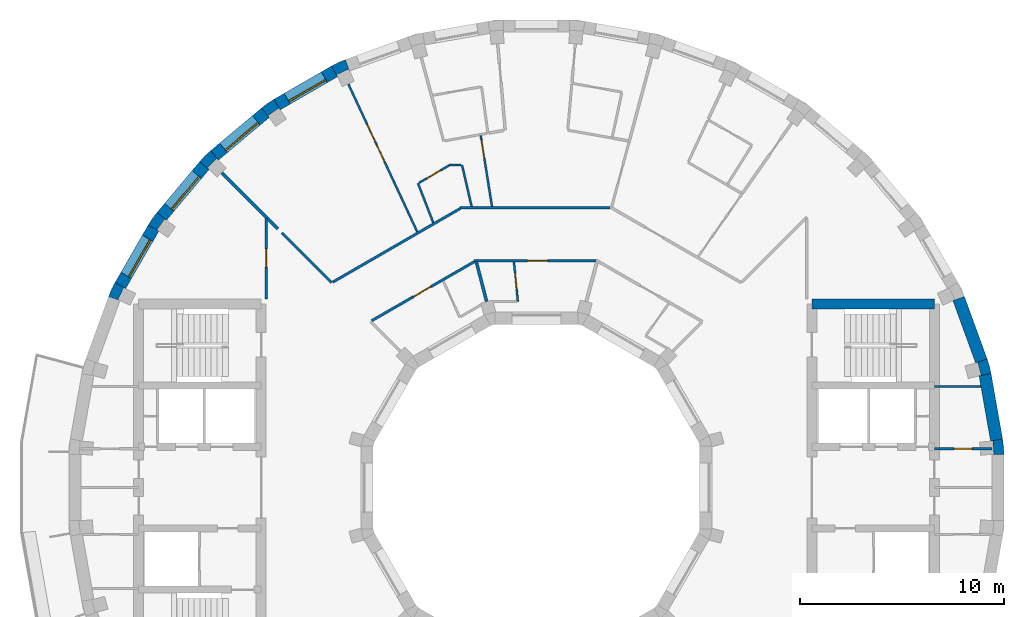
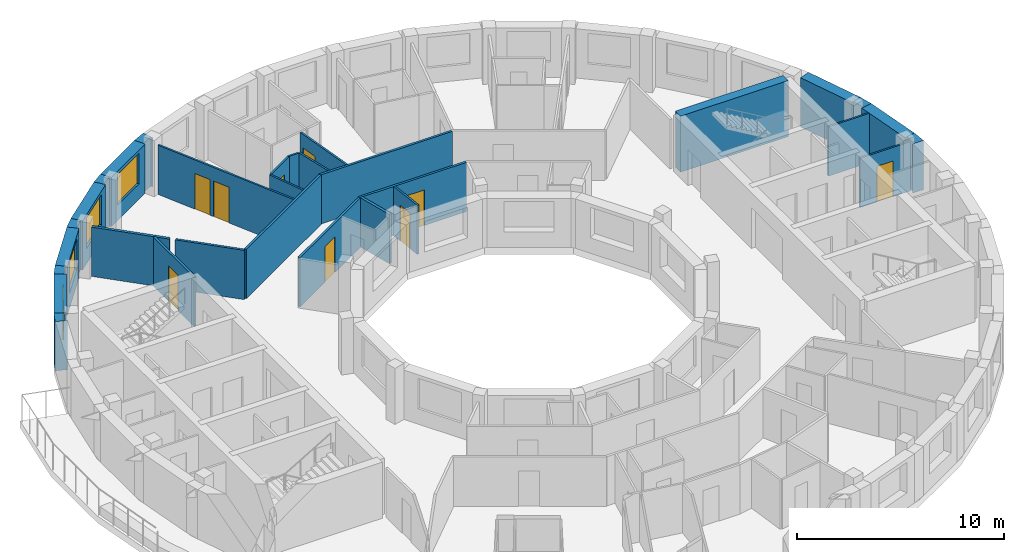
# One storey, part 7 of 10: 31 walls, 9 doors, 4 windows, 13 openings.
"""IFC4 building model written with IfcOpenShell, lengths in metres."""

from ifc_helpers import new_model, si_unit, direction, frame, frame_2d, origin, place, context, subcontext, project, spatial, polyline, rectangle, outline, extrude, material, layer, layer_set, type_object, element, fill, save


model = new_model("IFC4")

# Units and contexts
model_context = context("Model", 3, precision=1e-05, world=origin(), true_north=direction((0.0, 1.0)))
body_context = subcontext(model_context, "Body", "Model", "MODEL_VIEW")
ifc_project = project(units=[si_unit("LENGTHUNIT", "METRE"), si_unit("AREAUNIT", "SQUARE_METRE"), si_unit("VOLUMEUNIT", "CUBIC_METRE"), si_unit("PLANEANGLEUNIT", "RADIAN"), si_unit("MASSUNIT", "GRAM", prefix="KILO")], contexts=[model_context])

# Site, building, storey
site_placement = place(None, origin())
site = spatial("IfcSite", under=ifc_project, at=site_placement, CompositionType="ELEMENT")
building_placement = place(site_placement, origin())
building = spatial("IfcBuilding", under=site, at=building_placement, Name="Saqina Gate Tower", CompositionType="ELEMENT")
storey_placement = place(building_placement, frame((0.0, 0.0, 252.800048828125)))
storey = spatial("IfcBuildingStorey", under=building, at=storey_placement, Name="L72", CompositionType="ELEMENT", Elevation=252.800048828125)

# Walls
ifc_material_1 = material(Name="Brick masonry (buff)", Category="masonry")
wall_type_1 = type_object("IfcWallType", Name="BRICK PIER COPING BUFF", PredefinedType="SOLIDWALL", material=ifc_material_1)
wall_1_placement = place(storey_placement, origin())
element("IfcWall", 1, at=wall_1_placement, inside=storey, type_object=wall_type_1, Name="Pier cap L72 column 1", PredefinedType="SOLIDWALL", context=body_context, shape_type="SweptSolid", body=[
    extrude(outline(polyline([(22.91259765625, 1.625732421875), (22.8466796875, 2.377685546875), (22.255859375, 2.2734375), (22.361083984375, 2.28271484375), (22.417724609375, 1.635009765625), (22.3125, 1.625732421875), (22.91259765625, 1.625732421875)])), origin(), (0.0, 0.0, 1.0), 2.89990234375),
])
wall_2_placement = place(storey_placement, origin())
element("IfcWall", 2, at=wall_2_placement, inside=storey, type_object=wall_type_1, Name="Pier cap L72 column 2", PredefinedType="SOLIDWALL", context=body_context, shape_type="SweptSolid", body=[
    extrude(outline(polyline([(22.0869140625, 6.30859375), (21.52294921875, 6.103515625), (21.625, 6.130859375), (21.793212890625, 5.5029296875), (21.691162109375, 5.4755859375), (22.281982421875, 5.579833984375), (22.0869140625, 6.30859375)])), origin(), (0.0, 0.0, 1.0), 2.89990234375),
])
wall_3_placement = place(storey_placement, origin())
element("IfcWall", 3, at=wall_3_placement, inside=storey, type_object=wall_type_1, Name="Pier cap L72 column 12", PredefinedType="SOLIDWALL", context=body_context, shape_type="SweptSolid", body=[
    extrude(outline(polyline([(-9.3642578125, 20.974609375), (-10.048095703125, 20.65576171875), (-9.748291015625, 20.135986328125), (-9.79296875, 20.23193359375), (-9.203857421875, 20.506591796875), (-9.1591796875, 20.410888671875), (-9.3642578125, 20.974609375)])), origin(), (0.0, 0.0, 1.0), 2.89990234375),
])
wall_4_placement = place(storey_placement, origin())
element("IfcWall", 4, at=wall_4_placement, inside=storey, type_object=wall_type_1, Name="Pier cap L72 column 13", PredefinedType="SOLIDWALL", context=body_context, shape_type="SweptSolid", body=[
    extrude(outline(polyline([(-12.8642578125, 19.02978515625), (-13.482421875, 18.59716796875), (-13.0966796875, 18.137451171875), (-13.157470703125, 18.22412109375), (-12.625, 18.596923828125), (-12.564208984375, 18.51025390625), (-12.8642578125, 19.02978515625)])), origin(), (0.0, 0.0, 1.0), 2.89990234375),
])
wall_5_placement = place(storey_placement, origin())
element("IfcWall", 5, at=wall_5_placement, inside=storey, type_object=wall_type_1, Name="Pier cap L72 column 14", PredefinedType="SOLIDWALL", context=body_context, shape_type="SweptSolid", body=[
    extrude(outline(polyline([(-16.5068359375, 15.973388671875), (-16.04736328125, 15.587646484375), (-16.1220703125, 15.662353515625), (-15.662353515625, 16.1220703125), (-15.587646484375, 16.04736328125), (-15.973388671875, 16.5068359375), (-16.5068359375, 15.973388671875)])), origin(), (0.0, 0.0, 1.0), 2.89990234375),
])
wall_6_placement = place(storey_placement, origin())
element("IfcWall", 6, at=wall_6_placement, inside=storey, type_object=wall_type_1, Name="Pier cap L72 column 15", PredefinedType="SOLIDWALL", context=body_context, shape_type="SweptSolid", body=[
    extrude(outline(polyline([(-19.02978515625, 12.8642578125), (-18.51025390625, 12.564208984375), (-18.596923828125, 12.625), (-18.22412109375, 13.157470703125), (-18.137451171875, 13.0966796875), (-18.59716796875, 13.482421875), (-19.02978515625, 12.8642578125)])), origin(), (0.0, 0.0, 1.0), 2.89990234375),
])
wall_7_placement = place(storey_placement, origin())
element("IfcWall", 7, at=wall_7_placement, inside=storey, type_object=wall_type_1, Name="Pier cap L72 column 16", PredefinedType="SOLIDWALL", context=body_context, shape_type="SweptSolid", body=[
    extrude(outline(polyline([(-20.65576171875, 10.048095703125), (-20.974609375, 9.3642578125), (-20.410888671875, 9.1591796875), (-20.506591796875, 9.203857421875), (-20.23193359375, 9.79296875), (-20.135986328125, 9.748291015625), (-20.65576171875, 10.048095703125)])), origin(), (0.0, 0.0, 1.0), 2.89990234375),
])
ifc_material_2 = material(Name="Gypsum board on steel studs", Category="steel")
ifc_layer_1 = layer(ifc_material_2, 0.10009765625)
ifc_layer_set_1 = layer_set([ifc_layer_1], Name="CORE PARTITION")
wall_type_2 = type_object("IfcWallType", Name="CORE PARTITION", PredefinedType="PARTITIONING", material=ifc_layer_set_1)
wall_8_placement = place(storey_placement, frame((19.5, 4.949951171875, 0.0), z_axis=(0.0, 0.0, 1.0), x_axis=(1.0, 0.0, 0.0)))
element("IfcWall", 8, at=wall_8_placement, inside=storey, type_object=wall_type_2, Name="L72-CP-E02", PredefinedType="PARTITIONING", context=body_context, shape_type="SweptSolid", body=[
    extrude(rectangle(XDim=2.283935546875, YDim=0.10009765625, at=frame_2d((1.14208984375, 0.0))), origin(), (0.0, 0.0, 1.0), 2.89990234375),
])

# Wall, opening, door
wall_9_placement = place(storey_placement, frame((19.5, 1.89990234375, 0.0), z_axis=(0.0, 0.0, 1.0), x_axis=(1.0, 0.0, 0.0)))
wall_9 = element("IfcWall", 9, at=wall_9_placement, inside=storey, type_object=wall_type_2, Name="L72-CP-E03", PredefinedType="PARTITIONING", context=body_context, shape_type="SweptSolid", body=[
    extrude(rectangle(XDim=2.8125, YDim=0.10009765625, at=frame_2d((1.40625, 0.0))), origin(), (0.0, 0.0, 1.0), 2.89990234375),
])
opening_1_placement = place(wall_9_placement, frame((0.956298828125, 0.0, 0.0)))
opening_1 = element("IfcOpeningElement", 10, at=opening_1_placement, cuts=wall_9, Name="Opening G21-D92", PredefinedType="OPENING", context=body_context, shape_type="SweptSolid", body=[
    extrude(rectangle(XDim=0.89990234375, YDim=2.10009765625, at=frame_2d((0.449951171875, 1.050048828125))), frame((0.0, 0.06201171875, 0.0), z_axis=(0.0, -1.0, 0.0), x_axis=(1.0, 0.0, 0.0)), (0.0, 0.0, 1.0), 0.1240234375),
])
ifc_material_3 = material(Name="Steel-framed fire door leaf, EI 60", Category="steel")
door_type_1 = type_object("IfcDoorType", Name="SERVICE ROOM DOOR 900", OperationType="SINGLE_SWING_LEFT", PredefinedType="DOOR", material=ifc_material_3)
door_1_placement = place(opening_1_placement, origin())
door_1 = element("IfcDoor", 11, at=door_1_placement, inside=storey, type_object=door_type_1, Name="L72-CD-E03", OperationType="SINGLE_SWING_RIGHT", OverallHeight=2.10009765625, OverallWidth=0.89990234375, PredefinedType="DOOR", context=body_context, shape_type="SweptSolid", body=[
    extrude(rectangle(XDim=0.89990234375, YDim=2.10009765625, at=frame_2d((0.449951171875, 1.050048828125))), frame((0.0, 0.02490234375, 0.0), z_axis=(0.0, -1.0, 0.0), x_axis=(1.0, 0.0, 0.0)), (0.0, 0.0, 1.0), 0.050048828125),
])
fill(opening_1, door_1)

# Wall, opening, window
ifc_material_4 = material(Name="Brick masonry (buff)", Category="masonry")
ifc_layer_2 = layer(ifc_material_4, 0.60009765625)
ifc_layer_set_2 = layer_set([ifc_layer_2], Name="FW-BRICK-BUFF")
wall_type_3 = type_object("IfcWallType", Name="FW-BRICK-BUFF", PredefinedType="SOLIDWALL", material=ifc_layer_set_2)
wall_10_placement = place(storey_placement, frame((-9.898193359375, 20.39599609375, 0.0), z_axis=(0.0, 0.0, 1.0), x_axis=(-0.866016800201, -0.500014901547, 0.0)))
wall_10 = element("IfcWall", 12, at=wall_10_placement, inside=storey, type_object=wall_type_3, Name="Facade wall L72 facet 12", PredefinedType="SOLIDWALL", context=body_context, shape_type="SweptSolid", body=[
    extrude(rectangle(XDim=3.251953125, YDim=0.60009765625, at=frame_2d((1.6259765625, 0.0))), origin(), (0.0, 0.0, 1.0), 2.89990234375),
])
opening_2_placement = place(wall_10_placement, frame((0.57568359375, 0.0, 0.89990234375)))
opening_2 = element("IfcOpeningElement", 13, at=opening_2_placement, cuts=wall_10, Name="Opening G21-W10", PredefinedType="OPENING", context=body_context, shape_type="SweptSolid", body=[
    extrude(rectangle(XDim=2.10009765625, YDim=1.800048828125, at=frame_2d((1.050048828125, 0.89990234375))), frame((0.0, 0.31201171875, 0.0), z_axis=(0.0, -1.0, 0.0), x_axis=(1.0, 0.0, 0.0)), (0.0, 0.0, 1.0), 0.6240234375),
])
ifc_material_5 = material(Name="Aluminium glazing", Category="aluminium")
window_type = type_object("IfcWindowType", Name="WN-D", PartitioningType="SINGLE_PANEL", PredefinedType="WINDOW", material=ifc_material_5)
window_1_placement = place(opening_2_placement, origin())
window_1 = element("IfcWindow", 14, at=window_1_placement, inside=storey, type_object=window_type, Name="Window L72 facet 12", OverallHeight=1.800048828125, OverallWidth=2.10009765625, PartitioningType="SINGLE_PANEL", PredefinedType="WINDOW", context=body_context, shape_type="SweptSolid", body=[
    extrude(rectangle(XDim=2.10009765625, YDim=1.800048828125, at=frame_2d((1.050048828125, 0.89990234375))), frame((0.0, 0.179931640625, 0.0), z_axis=(0.0, -1.0, 0.0), x_axis=(1.0, 0.0, 0.0)), (0.0, 0.0, 1.0), 0.06005859375),
])
fill(opening_2, window_1)

wall_11_placement = place(storey_placement, frame((-13.28955078125, 18.3671875, 0.0), z_axis=(0.0, 0.0, 1.0), x_axis=(-0.766056773982, -0.64277291405, 0.0)))
wall_11 = element("IfcWall", 15, at=wall_11_placement, inside=storey, type_object=wall_type_3, Name="Facade wall L72 facet 13", PredefinedType="SOLIDWALL", context=body_context, shape_type="SweptSolid", body=[
    extrude(rectangle(XDim=3.251708984375, YDim=0.60009765625, at=frame_2d((1.6259765625, 0.0))), origin(), (0.0, 0.0, 1.0), 2.89990234375),
])
opening_3_placement = place(wall_11_placement, frame((0.57568359375, 0.0, 0.89990234375)))
opening_3 = element("IfcOpeningElement", 16, at=opening_3_placement, cuts=wall_11, Name="Opening G21-W11", PredefinedType="OPENING", context=body_context, shape_type="SweptSolid", body=[
    extrude(rectangle(XDim=2.10009765625, YDim=1.800048828125, at=frame_2d((1.050048828125, 0.89990234375))), frame((0.0, 0.31201171875, 0.0), z_axis=(0.0, -1.0, 0.0), x_axis=(1.0, 0.0, 0.0)), (0.0, 0.0, 1.0), 0.6240234375),
])
window_2_placement = place(opening_3_placement, origin())
window_2 = element("IfcWindow", 17, at=window_2_placement, inside=storey, type_object=window_type, Name="Window L72 facet 13", OverallHeight=1.800048828125, OverallWidth=2.10009765625, PartitioningType="SINGLE_PANEL", PredefinedType="WINDOW", context=body_context, shape_type="SweptSolid", body=[
    extrude(rectangle(XDim=2.10009765625, YDim=1.800048828125, at=frame_2d((1.050048828125, 0.89990234375))), frame((0.0, 0.179931640625, 0.0), z_axis=(0.0, -1.0, 0.0), x_axis=(1.0, 0.0, 0.0)), (0.0, 0.0, 1.0), 0.06005859375),
])
fill(opening_3, window_2)

wall_12_placement = place(storey_placement, frame((-16.277099609375, 15.780517578125, 0.0), z_axis=(0.0, 0.0, 1.0), x_axis=(-0.64277291405, -0.766056773982, 0.0)))
wall_12 = element("IfcWall", 18, at=wall_12_placement, inside=storey, type_object=wall_type_3, Name="Facade wall L72 facet 14", PredefinedType="SOLIDWALL", context=body_context, shape_type="SweptSolid", body=[
    extrude(rectangle(XDim=3.251708984375, YDim=0.60009765625, at=frame_2d((1.6259765625, 0.0))), origin(), (0.0, 0.0, 1.0), 2.89990234375),
])
opening_4_placement = place(wall_12_placement, frame((0.57568359375, 0.0, 0.89990234375)))
opening_4 = element("IfcOpeningElement", 19, at=opening_4_placement, cuts=wall_12, Name="Opening G21-W12", PredefinedType="OPENING", context=body_context, shape_type="SweptSolid", body=[
    extrude(rectangle(XDim=2.10009765625, YDim=1.800048828125, at=frame_2d((1.050048828125, 0.89990234375))), frame((0.0, 0.31201171875, 0.0), z_axis=(0.0, -1.0, 0.0), x_axis=(1.0, 0.0, 0.0)), (0.0, 0.0, 1.0), 0.6240234375),
])
window_3_placement = place(opening_4_placement, origin())
window_3 = element("IfcWindow", 20, at=window_3_placement, inside=storey, type_object=window_type, Name="Window L72 facet 14", OverallHeight=1.800048828125, OverallWidth=2.10009765625, PartitioningType="SINGLE_PANEL", PredefinedType="WINDOW", context=body_context, shape_type="SweptSolid", body=[
    extrude(rectangle(XDim=2.10009765625, YDim=1.800048828125, at=frame_2d((1.050048828125, 0.89990234375))), frame((0.0, 0.179931640625, 0.0), z_axis=(0.0, -1.0, 0.0), x_axis=(1.0, 0.0, 0.0)), (0.0, 0.0, 1.0), 0.06005859375),
])
fill(opening_4, window_3)

wall_13_placement = place(storey_placement, frame((-18.77001953125, 12.71435546875, 0.0), z_axis=(0.0, 0.0, 1.0), x_axis=(-0.500014901547, -0.866016800201, 0.0)))
wall_13 = element("IfcWall", 21, at=wall_13_placement, inside=storey, type_object=wall_type_3, Name="Facade wall L72 facet 15", PredefinedType="SOLIDWALL", context=body_context, shape_type="SweptSolid", body=[
    extrude(rectangle(XDim=3.251953125, YDim=0.60009765625, at=frame_2d((1.6259765625, 0.0))), origin(), (0.0, 0.0, 1.0), 2.89990234375),
])
opening_5_placement = place(wall_13_placement, frame((0.57568359375, 0.0, 0.89990234375)))
opening_5 = element("IfcOpeningElement", 22, at=opening_5_placement, cuts=wall_13, Name="Opening G21-W13", PredefinedType="OPENING", context=body_context, shape_type="SweptSolid", body=[
    extrude(rectangle(XDim=2.10009765625, YDim=1.800048828125, at=frame_2d((1.050048828125, 0.89990234375))), frame((0.0, 0.31201171875, 0.0), z_axis=(0.0, -1.0, 0.0), x_axis=(1.0, 0.0, 0.0)), (0.0, 0.0, 1.0), 0.6240234375),
])
window_4_placement = place(opening_5_placement, origin())
window_4 = element("IfcWindow", 23, at=window_4_placement, inside=storey, type_object=window_type, Name="Window L72 facet 15", OverallHeight=1.800048828125, OverallWidth=2.10009765625, PartitioningType="SINGLE_PANEL", PredefinedType="WINDOW", context=body_context, shape_type="SweptSolid", body=[
    extrude(rectangle(XDim=2.10009765625, YDim=1.800048828125, at=frame_2d((1.050048828125, 0.89990234375))), frame((0.0, 0.179931640625, 0.0), z_axis=(0.0, -1.0, 0.0), x_axis=(1.0, 0.0, 0.0)), (0.0, 0.0, 1.0), 0.06005859375),
])
fill(opening_5, window_4)

# Walls
ifc_material_6 = material(Name="Glazed ceramic tile", Category="ceramic")
ifc_layer_3 = layer(ifc_material_6, 0.60009765625)
ifc_layer_set_3 = layer_set([ifc_layer_3], Name="FW-TILE")
wall_type_4 = type_object("IfcWallType", Name="FW-TILE", PredefinedType="SOLIDWALL", material=ifc_layer_set_3)
wall_14_placement = place(storey_placement, frame((22.55126953125, 2.325439453125, 0.0), z_axis=(0.0, 0.0, 1.0), x_axis=(-0.173656842178, 0.984806225186, 0.0)))
element("IfcWall", 24, at=wall_14_placement, inside=storey, type_object=wall_type_4, Name="Facade wall L72 facet 1", PredefinedType="SOLIDWALL", context=body_context, shape_type="SweptSolid", body=[
    extrude(rectangle(XDim=3.251708984375, YDim=0.60009765625, at=frame_2d((1.6259765625, 0.0))), origin(), (0.0, 0.0, 1.0), 2.89990234375),
])
ifc_material_7 = material(Name="Glazed ceramic tile (dark blue)", Category="ceramic")
ifc_layer_4 = layer(ifc_material_7, 0.60009765625)
ifc_layer_set_4 = layer_set([ifc_layer_4], Name="FW-TILE-CB")
wall_type_5 = type_object("IfcWallType", Name="FW-TILE-CB", PredefinedType="SOLIDWALL", material=ifc_layer_set_4)
wall_15_placement = place(storey_placement, frame((21.804931640625, 6.2060546875, 0.0), z_axis=(0.0, 0.0, 1.0), x_axis=(-0.342056509473, 0.939679383794, 0.0)))
element("IfcWall", 25, at=wall_15_placement, inside=storey, type_object=wall_type_5, Name="Facade wall L72 facet 2", PredefinedType="SOLIDWALL", context=body_context, shape_type="SweptSolid", body=[
    extrude(rectangle(XDim=3.251708984375, YDim=0.60009765625, at=frame_2d((1.6259765625, 0.0))), origin(), (0.0, 0.0, 1.0), 2.89990234375),
])

# Wall, opening, door
ifc_material_8 = material(Name="Gypsum board on steel studs, 100 mm", Category="steel")
ifc_layer_5 = layer(ifc_material_8, 0.10009765625)
ifc_layer_set_5 = layer_set([ifc_layer_5], Name="PARTITION 100")
wall_type_6 = type_object("IfcWallType", Name="PARTITION 100", PredefinedType="PARTITIONING", material=ifc_layer_set_5)
wall_16_placement = place(storey_placement, frame((-1.105712890625, 11.0478515625, 0.0), z_axis=(0.0, 0.0, 1.0), x_axis=(0.099416829924, -0.995045875288, 0.0)))
wall_16 = element("IfcWall", 26, at=wall_16_placement, inside=storey, type_object=wall_type_6, Name="PARTITION PW3-01", PredefinedType="PARTITIONING", context=body_context, shape_type="SweptSolid", body=[
    extrude(rectangle(XDim=1.947509765625, YDim=0.10009765625, at=frame_2d((0.9736328125, 0.0))), origin(), (0.0, 0.0, 1.0), 2.89990234375),
])
opening_6_placement = place(wall_16_placement, frame((0.54248046875, 0.0, 0.0)))
opening_6 = element("IfcOpeningElement", 27, at=opening_6_placement, cuts=wall_16, Name="Opening G21-D14", PredefinedType="OPENING", context=body_context, shape_type="SweptSolid", body=[
    extrude(rectangle(XDim=0.800048828125, YDim=2.10009765625, at=frame_2d((0.39990234375, 1.050048828125))), frame((0.0, 0.06201171875, 0.0), z_axis=(0.0, -1.0, 0.0), x_axis=(1.0, 0.0, 0.0)), (0.0, 0.0, 1.0), 0.1240234375),
])
ifc_material_9 = material(Name="Timber door leaf, 800 mm", Category="wood")
door_type_2 = type_object("IfcDoorType", Name="DOOR 800 TIMBER", OperationType="SINGLE_SWING_LEFT", PredefinedType="DOOR", material=ifc_material_9)
door_2_placement = place(opening_6_placement, frame((0.800048828125, 0.0, 0.0), z_axis=(0.0, 0.0, 1.0), x_axis=(-1.0, 0.0, 0.0)))
door_2 = element("IfcDoor", 28, at=door_2_placement, inside=storey, type_object=door_type_2, Name="DOOR G21-D14", OperationType="SINGLE_SWING_LEFT", OverallHeight=2.10009765625, OverallWidth=0.800048828125, PredefinedType="DOOR", context=body_context, shape_type="SweptSolid", body=[
    extrude(rectangle(XDim=0.800048828125, YDim=2.10009765625, at=frame_2d((0.39990234375, 1.050048828125))), frame((0.0, 0.02490234375, 0.0), z_axis=(0.0, -1.0, 0.0), x_axis=(1.0, 0.0, 0.0)), (0.0, 0.0, 1.0), 0.050048828125),
])
fill(opening_6, door_2)

wall_17_placement = place(storey_placement, frame((-2.732177734375, 17.24951171875, 0.0), z_axis=(0.0, 0.0, 1.0), x_axis=(0.156624768699, -0.987658180663, 0.0)))
wall_17 = element("IfcWall", 29, at=wall_17_placement, inside=storey, type_object=wall_type_6, Name="PARTITION PW3-04", PredefinedType="PARTITIONING", context=body_context, shape_type="SweptSolid", body=[
    extrude(rectangle(XDim=3.521240234375, YDim=0.10009765625, at=frame_2d((1.7607421875, 0.0))), origin(), (0.0, 0.0, 1.0), 2.89990234375),
])
opening_7_placement = place(wall_17_placement, frame((0.216796875, 0.0, 0.0)))
opening_7 = element("IfcOpeningElement", 30, at=opening_7_placement, cuts=wall_17, Name="Opening G21-D15", PredefinedType="OPENING", context=body_context, shape_type="SweptSolid", body=[
    extrude(rectangle(XDim=0.89990234375, YDim=2.10009765625, at=frame_2d((0.449951171875, 1.050048828125))), frame((0.0, 0.06201171875, 0.0), z_axis=(0.0, -1.0, 0.0), x_axis=(1.0, 0.0, 0.0)), (0.0, 0.0, 1.0), 0.1240234375),
])
ifc_material_10 = material(Name="Timber door leaf, 900 mm", Category="wood")
door_type_3 = type_object("IfcDoorType", Name="DOOR 900 TIMBER", OperationType="SINGLE_SWING_LEFT", PredefinedType="DOOR", material=ifc_material_10)
door_3_placement = place(opening_7_placement, origin())
door_3 = element("IfcDoor", 31, at=door_3_placement, inside=storey, type_object=door_type_3, Name="DOOR G21-D15", OperationType="SINGLE_SWING_LEFT", OverallHeight=2.10009765625, OverallWidth=0.89990234375, PredefinedType="DOOR", context=body_context, shape_type="SweptSolid", body=[
    extrude(rectangle(XDim=0.89990234375, YDim=2.10009765625, at=frame_2d((0.449951171875, 1.050048828125))), frame((0.0, 0.02490234375, 0.0), z_axis=(0.0, -1.0, 0.0), x_axis=(1.0, 0.0, 0.0)), (0.0, 0.0, 1.0), 0.050048828125),
])
fill(opening_7, door_3)

# Walls
wall_18_placement = place(storey_placement, frame((-3.64990234375, 15.81005859375, 0.0), z_axis=(0.0, 0.0, 1.0), x_axis=(0.22503842629, -0.974349889256, 0.0)))
element("IfcWall", 32, at=wall_18_placement, inside=storey, type_object=wall_type_6, Name="PARTITION PW3-05", PredefinedType="PARTITIONING", context=body_context, shape_type="SweptSolid", body=[
    extrude(rectangle(XDim=2.0927734375, YDim=0.10009765625, at=frame_2d((1.04638671875, 0.0))), origin(), (0.0, 0.0, 1.0), 2.89990234375),
])
wall_19_placement = place(storey_placement, frame((-5.806884765625, 14.903076171875, 0.0), z_axis=(0.0, 0.0, 1.0), x_axis=(0.362800505058, -0.931866832509, 0.0)))
element("IfcWall", 33, at=wall_19_placement, inside=storey, type_object=wall_type_6, Name="PARTITION PW3-07", PredefinedType="PARTITIONING", context=body_context, shape_type="SweptSolid", body=[
    extrude(rectangle(XDim=2.061767578125, YDim=0.10009765625, at=frame_2d((1.03076171875, 0.0))), origin(), (0.0, 0.0, 1.0), 2.89990234375),
])

# Wall, openings, doors
wall_20_placement = place(storey_placement, frame((-9.2197265625, 19.77099609375, 0.0), z_axis=(0.0, 0.0, 1.0), x_axis=(0.422639558445, -0.906297855916, 0.0)))
wall_20 = element("IfcWall", 34, at=wall_20_placement, inside=storey, type_object=wall_type_6, Name="PARTITION PW3-09", PredefinedType="PARTITIONING", context=body_context, shape_type="SweptSolid", body=[
    extrude(rectangle(XDim=7.990234375, YDim=0.10009765625, at=frame_2d((3.9951171875, 0.0))), origin(), (0.0, 0.0, 1.0), 2.89990234375),
])
opening_8_placement = place(wall_20_placement, frame((3.285400390625, 0.0, 0.0)))
opening_8 = element("IfcOpeningElement", 35, at=opening_8_placement, cuts=wall_20, Name="Opening G21-D19", PredefinedType="OPENING", context=body_context, shape_type="SweptSolid", body=[
    extrude(rectangle(XDim=0.89990234375, YDim=2.10009765625, at=frame_2d((0.449951171875, 1.050048828125))), frame((0.0, 0.06201171875, 0.0), z_axis=(0.0, -1.0, 0.0), x_axis=(1.0, 0.0, 0.0)), (0.0, 0.0, 1.0), 0.1240234375),
])
opening_9_placement = place(wall_20_placement, frame((2.185546875, 0.0, 0.0)))
opening_9 = element("IfcOpeningElement", 36, at=opening_9_placement, cuts=wall_20, Name="Opening G21-D20", PredefinedType="OPENING", context=body_context, shape_type="SweptSolid", body=[
    extrude(rectangle(XDim=0.89990234375, YDim=2.10009765625, at=frame_2d((0.449951171875, 1.050048828125))), frame((0.0, 0.06201171875, 0.0), z_axis=(0.0, -1.0, 0.0), x_axis=(1.0, 0.0, 0.0)), (0.0, 0.0, 1.0), 0.1240234375),
])
door_4_placement = place(opening_8_placement, frame((0.89990234375, 0.0, 0.0), z_axis=(0.0, 0.0, 1.0), x_axis=(-1.0, 0.0, 0.0)))
door_4 = element("IfcDoor", 37, at=door_4_placement, inside=storey, type_object=door_type_3, Name="DOOR G21-D19", OperationType="SINGLE_SWING_RIGHT", OverallHeight=2.10009765625, OverallWidth=0.89990234375, PredefinedType="DOOR", context=body_context, shape_type="SweptSolid", body=[
    extrude(rectangle(XDim=0.89990234375, YDim=2.10009765625, at=frame_2d((0.449951171875, 1.050048828125))), frame((0.0, 0.02490234375, 0.0), z_axis=(0.0, -1.0, 0.0), x_axis=(1.0, 0.0, 0.0)), (0.0, 0.0, 1.0), 0.050048828125),
])
fill(opening_8, door_4)
door_5_placement = place(opening_9_placement, frame((0.89990234375, 0.0, 0.0), z_axis=(0.0, 0.0, 1.0), x_axis=(-1.0, 0.0, 0.0)))
door_5 = element("IfcDoor", 38, at=door_5_placement, inside=storey, type_object=door_type_3, Name="DOOR G21-D20", OperationType="SINGLE_SWING_RIGHT", OverallHeight=2.10009765625, OverallWidth=0.89990234375, PredefinedType="DOOR", context=body_context, shape_type="SweptSolid", body=[
    extrude(rectangle(XDim=0.89990234375, YDim=2.10009765625, at=frame_2d((0.449951171875, 1.050048828125))), frame((0.0, 0.02490234375, 0.0), z_axis=(0.0, -1.0, 0.0), x_axis=(1.0, 0.0, 0.0)), (0.0, 0.0, 1.0), 0.050048828125),
])
fill(opening_9, door_5)

# Wall
wall_21_placement = place(storey_placement, frame((-4.294677734375, 15.81005859375, 0.0), z_axis=(0.0, 0.0, 1.0), x_axis=(1.0, 0.0, 0.0)))
element("IfcWall", 39, at=wall_21_placement, inside=storey, type_object=wall_type_6, Name="PARTITION PW3-27", PredefinedType="PARTITIONING", context=body_context, shape_type="SweptSolid", body=[
    extrude(rectangle(XDim=0.5927734375, YDim=0.10009765625, at=frame_2d((0.29638671875, 0.0))), origin(), (0.0, 0.0, 1.0), 2.89990234375),
])

# Wall, opening, door
wall_22_placement = place(storey_placement, frame((-5.76171875, 14.92919921875, 0.0), z_axis=(0.0, 0.0, 1.0), x_axis=(0.865924135104, 0.500175361493, 0.0)))
wall_22 = element("IfcWall", 40, at=wall_22_placement, inside=storey, type_object=wall_type_6, Name="PARTITION PW3-35", PredefinedType="PARTITIONING", context=body_context, shape_type="SweptSolid", body=[
    extrude(rectangle(XDim=1.7109375, YDim=0.10009765625, at=frame_2d((0.85546875, 0.0))), origin(), (0.0, 0.0, 1.0), 2.89990234375),
])
opening_10_placement = place(wall_22_placement, frame((0.454345703125, 0.0, 0.0)))
opening_10 = element("IfcOpeningElement", 41, at=opening_10_placement, cuts=wall_22, Name="Opening G21-D17", PredefinedType="OPENING", context=body_context, shape_type="SweptSolid", body=[
    extrude(rectangle(XDim=0.800048828125, YDim=2.10009765625, at=frame_2d((0.39990234375, 1.050048828125))), frame((0.0, 0.06201171875, 0.0), z_axis=(0.0, -1.0, 0.0), x_axis=(1.0, 0.0, 0.0)), (0.0, 0.0, 1.0), 0.1240234375),
])
door_6_placement = place(opening_10_placement, origin())
door_6 = element("IfcDoor", 42, at=door_6_placement, inside=storey, type_object=door_type_2, Name="DOOR G21-D17", OperationType="SINGLE_SWING_RIGHT", OverallHeight=2.10009765625, OverallWidth=0.800048828125, PredefinedType="DOOR", context=body_context, shape_type="SweptSolid", body=[
    extrude(rectangle(XDim=0.800048828125, YDim=2.10009765625, at=frame_2d((0.39990234375, 1.050048828125))), frame((0.0, 0.02490234375, 0.0), z_axis=(0.0, -1.0, 0.0), x_axis=(1.0, 0.0, 0.0)), (0.0, 0.0, 1.0), 0.050048828125),
])
fill(opening_10, door_6)

# Wall
ifc_material_11 = material(Name="Gypsum board on steel studs, 125 mm, fire rated", Category="steel")
ifc_layer_6 = layer(ifc_material_11, 0.125)
ifc_layer_set_6 = layer_set([ifc_layer_6], Name="PARTITION EI 30 125")
wall_type_7 = type_object("IfcWallType", Name="PARTITION EI 30 125", PredefinedType="PARTITIONING", material=ifc_layer_set_6)
wall_23_placement = place(storey_placement, frame((-12.47412109375, 12.47412109375, 0.0), z_axis=(0.0, 0.0, 1.0), x_axis=(0.707106781187, -0.707106781187, 0.0)))
element("IfcWall", 43, at=wall_23_placement, inside=storey, type_object=wall_type_7, Name="PARTITION PW1-04", PredefinedType="PARTITIONING", context=body_context, shape_type="SweptSolid", body=[
    extrude(rectangle(XDim=3.4482421875, YDim=0.125, at=frame_2d((1.72412109375, 0.0))), origin(), (0.0, 0.0, 1.0), 2.89990234375),
])

# Wall, opening, door
wall_24_placement = place(storey_placement, frame((-3.0634765625, 11.110107421875, 0.0), z_axis=(0.0, 0.0, 1.0), x_axis=(1.0, 0.0, 0.0)))
wall_24 = element("IfcWall", 44, at=wall_24_placement, inside=storey, type_object=wall_type_7, Name="PARTITION PW1-19", PredefinedType="PARTITIONING", context=body_context, shape_type="SweptSolid", body=[
    extrude(rectangle(XDim=5.97802734375, YDim=0.125, at=frame_2d((2.989013671875, 0.0))), origin(), (0.0, 0.0, 1.0), 2.89990234375),
])
opening_11_placement = place(wall_24_placement, frame((2.614013671875, 0.0, 0.0)))
opening_11 = element("IfcOpeningElement", 45, at=opening_11_placement, cuts=wall_24, Name="Opening G21-D12", PredefinedType="OPENING", context=body_context, shape_type="SweptSolid", body=[
    extrude(rectangle(XDim=1.0, YDim=2.10009765625, at=frame_2d((0.5, 1.050048828125))), frame((0.0, 0.074462890625, 0.0), z_axis=(0.0, -1.0, 0.0), x_axis=(1.0, 0.0, 0.0)), (0.0, 0.0, 1.0), 0.14892578125),
])
ifc_material_12 = material(Name="Fire door leaf EI 30, 1000 mm")
door_type_4 = type_object("IfcDoorType", Name="DOOR 1000 EI 30", OperationType="SINGLE_SWING_LEFT", PredefinedType="DOOR", material=ifc_material_12)
door_7_placement = place(opening_11_placement, frame((1.0, 0.0, 0.0), z_axis=(0.0, 0.0, 1.0), x_axis=(-1.0, 0.0, 0.0)))
door_7 = element("IfcDoor", 46, at=door_7_placement, inside=storey, type_object=door_type_4, Name="DOOR G21-D12", OperationType="SINGLE_SWING_RIGHT", OverallHeight=2.10009765625, OverallWidth=1.0, PredefinedType="DOOR", context=body_context, shape_type="SweptSolid", body=[
    extrude(rectangle(XDim=1.0, YDim=2.10009765625, at=frame_2d((0.5, 1.050048828125))), frame((0.0, 0.02490234375, 0.0), z_axis=(0.0, -1.0, 0.0), x_axis=(1.0, 0.0, 0.0)), (0.0, 0.0, 1.0), 0.050048828125),
])
fill(opening_11, door_7)

# Wall
wall_25_placement = place(storey_placement, frame((-3.74609375, 13.7099609375, 0.0), z_axis=(0.0, 0.0, 1.0), x_axis=(1.0, 0.0, 0.0)))
element("IfcWall", 47, at=wall_25_placement, inside=storey, type_object=wall_type_7, Name="PARTITION PW1-20", PredefinedType="PARTITIONING", context=body_context, shape_type="SweptSolid", body=[
    extrude(rectangle(XDim=7.356689453125, YDim=0.125, at=frame_2d((3.67822265625, 0.0))), origin(), (0.0, 0.0, 1.0), 2.89990234375),
])

# Wall, opening, door
wall_26_placement = place(storey_placement, frame((-8.08251953125, 8.170654296875, 0.0), z_axis=(0.0, 0.0, 1.0), x_axis=(0.866868209522, 0.498537368027, 0.0)))
wall_26 = element("IfcWall", 48, at=wall_26_placement, inside=storey, type_object=wall_type_7, Name="PARTITION PW1-25", PredefinedType="PARTITIONING", context=body_context, shape_type="SweptSolid", body=[
    extrude(rectangle(XDim=5.81640625, YDim=0.125, at=frame_2d((2.908203125, 0.0))), origin(), (0.0, 0.0, 1.0), 2.89990234375),
])
opening_12_placement = place(wall_26_placement, frame((2.36376953125, 0.0, 0.0)))
opening_12 = element("IfcOpeningElement", 49, at=opening_12_placement, cuts=wall_26, Name="Opening G21-D21", PredefinedType="OPENING", context=body_context, shape_type="SweptSolid", body=[
    extrude(rectangle(XDim=1.0, YDim=2.10009765625, at=frame_2d((0.5, 1.050048828125))), frame((0.0, 0.074462890625, 0.0), z_axis=(0.0, -1.0, 0.0), x_axis=(1.0, 0.0, 0.0)), (0.0, 0.0, 1.0), 0.14892578125),
])
door_8_placement = place(opening_12_placement, origin())
door_8 = element("IfcDoor", 50, at=door_8_placement, inside=storey, type_object=door_type_4, Name="DOOR G21-D21", OperationType="SINGLE_SWING_LEFT", OverallHeight=2.10009765625, OverallWidth=1.0, PredefinedType="DOOR", context=body_context, shape_type="SweptSolid", body=[
    extrude(rectangle(XDim=1.0, YDim=2.10009765625, at=frame_2d((0.5, 1.050048828125))), frame((0.0, 0.02490234375, 0.0), z_axis=(0.0, -1.0, 0.0), x_axis=(1.0, 0.0, 0.0)), (0.0, 0.0, 1.0), 0.050048828125),
])
fill(opening_12, door_8)

# Wall
wall_27_placement = place(storey_placement, frame((-9.98193359375, 10.067138671875, 0.0), z_axis=(0.0, 0.0, 1.0), x_axis=(0.865972766561, 0.500091159265, 0.0)))
element("IfcWall", 51, at=wall_27_placement, inside=storey, type_object=wall_type_7, Name="PARTITION PW1-26", PredefinedType="PARTITIONING", context=body_context, shape_type="SweptSolid", body=[
    extrude(rectangle(XDim=7.221923828125, YDim=0.125, at=frame_2d((3.61083984375, 0.0))), origin(), (0.0, 0.0, 1.0), 2.89990234375),
])

# Wall, opening, door
wall_28_placement = place(storey_placement, frame((-13.25, 9.25, 0.0), z_axis=(0.0, 0.0, 1.0), x_axis=(0.0, 1.0, 0.0)))
wall_28 = element("IfcWall", 52, at=wall_28_placement, inside=storey, type_object=wall_type_7, Name="PARTITION PW1-41", PredefinedType="PARTITIONING", context=body_context, shape_type="SweptSolid", body=[
    extrude(rectangle(XDim=3.925048828125, YDim=0.125, at=frame_2d((1.96240234375, 0.0))), origin(), (0.0, 0.0, 1.0), 2.89990234375),
])
opening_13_placement = place(wall_28_placement, frame((1.550048828125, 0.0, 0.0)))
opening_13 = element("IfcOpeningElement", 53, at=opening_13_placement, cuts=wall_28, Name="Opening G21-D22", PredefinedType="OPENING", context=body_context, shape_type="SweptSolid", body=[
    extrude(rectangle(XDim=0.89990234375, YDim=2.10009765625, at=frame_2d((0.449951171875, 1.050048828125))), frame((0.0, 0.074462890625, 0.0), z_axis=(0.0, -1.0, 0.0), x_axis=(1.0, 0.0, 0.0)), (0.0, 0.0, 1.0), 0.14892578125),
])
ifc_material_13 = material(Name="Fire door leaf EI 30, 900 mm")
door_type_5 = type_object("IfcDoorType", Name="DOOR 900 EI 30", OperationType="SINGLE_SWING_LEFT", PredefinedType="DOOR", material=ifc_material_13)
door_9_placement = place(opening_13_placement, origin())
door_9 = element("IfcDoor", 54, at=door_9_placement, inside=storey, type_object=door_type_5, Name="DOOR G21-D22", OperationType="SINGLE_SWING_RIGHT", OverallHeight=2.10009765625, OverallWidth=0.89990234375, PredefinedType="DOOR", context=body_context, shape_type="SweptSolid", body=[
    extrude(rectangle(XDim=0.89990234375, YDim=2.10009765625, at=frame_2d((0.449951171875, 1.050048828125))), frame((0.0, 0.02490234375, 0.0), z_axis=(0.0, -1.0, 0.0), x_axis=(1.0, 0.0, 0.0)), (0.0, 0.0, 1.0), 0.050048828125),
])
fill(opening_13, door_9)

# Walls
ifc_material_14 = material(Name="Gypsum board on steel studs, 150 mm, fire rated", Category="steel")
ifc_layer_7 = layer(ifc_material_14, 0.14990234375)
ifc_layer_set_7 = layer_set([ifc_layer_7], Name="PARTITION EI 60 150")
wall_type_8 = type_object("IfcWallType", Name="PARTITION EI 60 150", PredefinedType="PARTITIONING", material=ifc_layer_set_7)
wall_29_placement = place(storey_placement, frame((-2.9462890625, 11.053466796875, 0.0), z_axis=(0.0, 0.0, 1.0), x_axis=(0.251585758505, -0.96783500976, 0.0)))
element("IfcWall", 55, at=wall_29_placement, inside=storey, type_object=wall_type_8, Name="PARTITION PW2-01", PredefinedType="PARTITIONING", context=body_context, shape_type="SweptSolid", body=[
    extrude(rectangle(XDim=1.9970703125, YDim=0.14990234375, at=frame_2d((0.99853515625, 0.0))), origin(), (0.0, 0.0, 1.0), 2.89990234375),
])
wall_30_placement = place(storey_placement, frame((-15.425537109375, 15.425537109375, 0.0), z_axis=(0.0, 0.0, 1.0), x_axis=(0.706981050965, -0.707232489056, 0.0)))
element("IfcWall", 56, at=wall_30_placement, inside=storey, type_object=wall_type_8, Name="PARTITION PW2-05", PredefinedType="PARTITIONING", context=body_context, shape_type="SweptSolid", body=[
    extrude(rectangle(XDim=3.8837890625, YDim=0.14990234375, at=frame_2d((1.94189453125, 0.0))), origin(), (0.0, 0.0, 1.0), 2.89990234375),
])
ifc_material_15 = material(Name="Concrete C60/75", Category="concrete")
ifc_layer_8 = layer(ifc_material_15, 0.5)
ifc_layer_set_8 = layer_set([ifc_layer_8], Name="Concrete C60/75")
wall_type_9 = type_object("IfcWallType", Name="STR-CORE WALL-D-O", PredefinedType="SHEAR", material=ifc_layer_set_8)
wall_31_placement = place(storey_placement, frame((13.5, 9.0, 0.0), z_axis=(0.0, 0.0, 1.0), x_axis=(1.0, 0.0, 0.0)))
element("IfcWall", 57, at=wall_31_placement, inside=storey, type_object=wall_type_9, Name="CORE WALL L72 E-NE", PredefinedType="SHEAR", context=body_context, shape_type="SweptSolid", body=[
    extrude(rectangle(XDim=6.0, YDim=0.5, at=frame_2d((3.0, 0.0))), origin(), (0.0, 0.0, 1.0), 3.300048828125),
])

save(model, "model.ifc")
